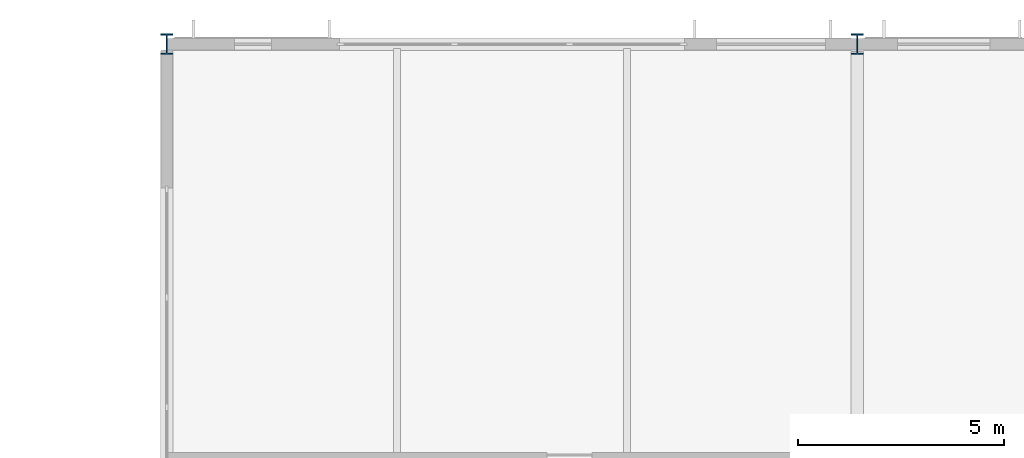
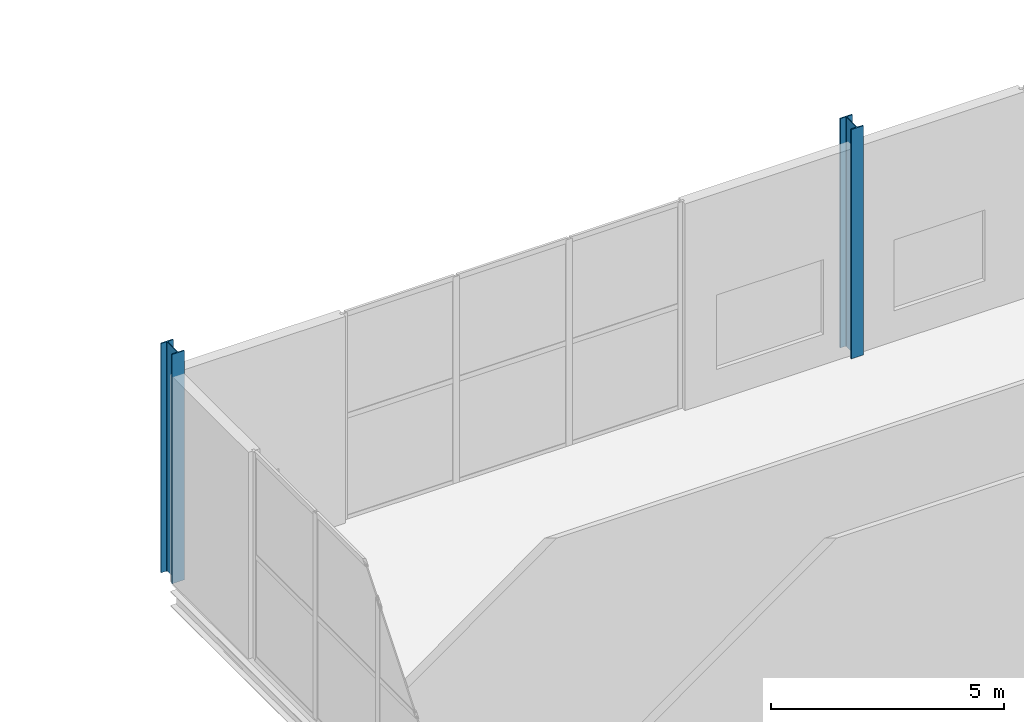
# One storey, part 2 of 100: 2 columns.
"""IFC4 building model written with IfcOpenShell, lengths in metres."""

from ifc_helpers import new_model, si_unit, direction, frame, origin, origin_2d, place, context, subcontext, project, spatial, i_section, extrude, material, material_profile, profile_set, type_object, element, save


model = new_model("IFC4")

# Units and contexts
model_context = context("Model", 3, precision=1e-05, world=origin(), true_north=direction((0.0, 1.0)))
body_context = subcontext(model_context, "Body", "Model", "MODEL_VIEW")
ifc_project = project(units=[si_unit("LENGTHUNIT", "METRE"), si_unit("AREAUNIT", "SQUARE_METRE"), si_unit("VOLUMEUNIT", "CUBIC_METRE"), si_unit("PLANEANGLEUNIT", "RADIAN"), si_unit("MASSUNIT", "GRAM", prefix="KILO")], contexts=[model_context])

# Site, building, storey
site_placement = place(None, origin())
site = spatial("IfcSite", under=ifc_project, at=site_placement, CompositionType="ELEMENT")
building_placement = place(site_placement, origin())
building = spatial("IfcBuilding", under=site, at=building_placement, Name="Kimbaza Rail Terminus", CompositionType="ELEMENT")
storey_placement = place(building_placement, frame((0.0, 0.0, 10.800048828125)))
storey = spatial("IfcBuildingStorey", under=building, at=storey_placement, Name="L02", CompositionType="ELEMENT", Elevation=10.800048828125)

# Columns
ifc_material = material(Name="Steel S355", Category="steel")
ifc_material_profile = material_profile(ifc_material, i_section(OverallWidth=0.300048828125, OverallDepth=0.5, WebThickness=0.014404296875, FlangeThickness=0.028076171875, FilletRadius=0.027099609375, at=origin_2d()), Name="HEB 500")
ifc_profile_set = profile_set([ifc_material_profile], Name="Steel S355")
column_type = type_object("IfcColumnType", Name="STR-COL-HEB500", PredefinedType="COLUMN", material=ifc_profile_set)
for number, where, z_axis, x_axis, name in (
    (1, (55.199951171875, 133.0, 0.0), (0.0, 0.0, 1.0), (1.0, 0.0, 0.0), "Operations Column L02 (0,2)"),
    (2, (72.0, 133.0, 0.0), (0.0, 0.0, 1.0), (1.0, 0.0, 0.0), "Operations Column L02 (1,2)"),
):
    element("IfcColumn", number, at=place(storey_placement, frame(where, z_axis=z_axis, x_axis=x_axis)), inside=storey, type_object=column_type, Name=name, PredefinedType="COLUMN", context=body_context, shape_type="SweptSolid", body=[
        extrude(i_section(OverallWidth=0.300048828125, OverallDepth=0.5, WebThickness=0.014404296875, FlangeThickness=0.028076171875, FilletRadius=0.027099609375, at=origin_2d()), origin(), (0.0, 0.0, 1.0), 6.0),
    ])

save(model, "model.ifc")
